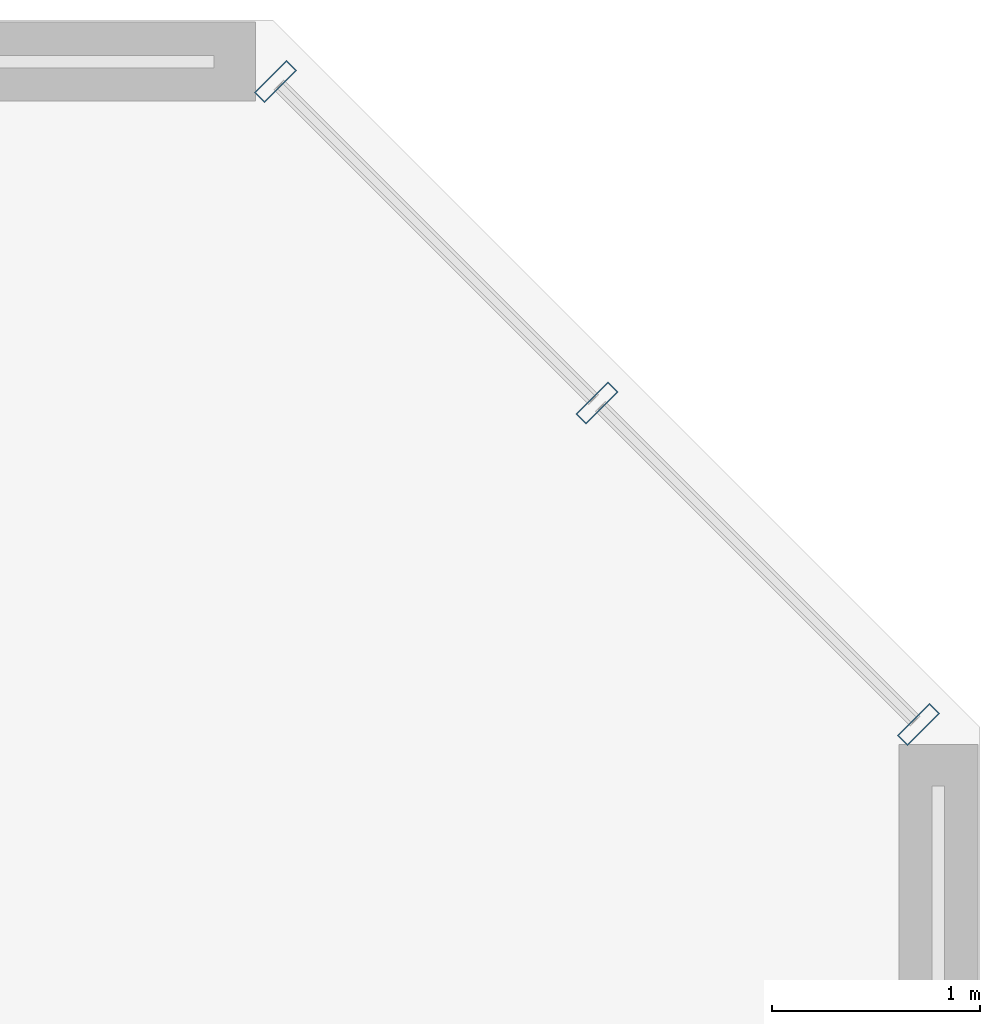
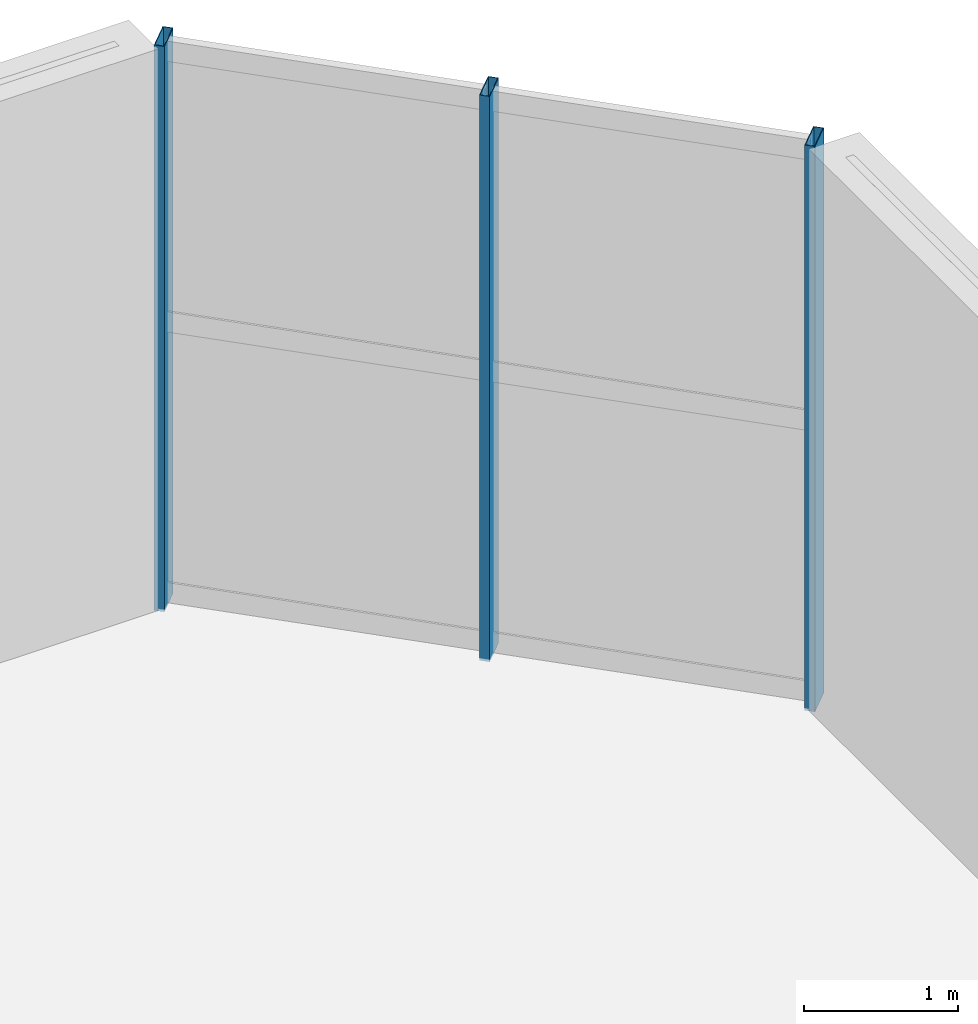
# One storey, part 8 of 22: 3 members, 1 element without a shape of its own.
"""IFC4 building model written with IfcOpenShell, lengths in metres."""

from ifc_helpers import new_model, si_unit, direction, frame, origin, origin_2d, place, context, subcontext, project, spatial, hollow_rectangle, extrude, source, transform, mapped, material, material_profile, profile_set, type_object, element, aggregate, save


model = new_model("IFC4")

# Units and contexts
model_context = context("Model", 3, precision=1e-05, world=origin(), true_north=direction((0.0, 1.0)))
body_context = subcontext(model_context, "Body", "Model", "MODEL_VIEW")
ifc_project = project(units=[si_unit("LENGTHUNIT", "METRE"), si_unit("AREAUNIT", "SQUARE_METRE"), si_unit("VOLUMEUNIT", "CUBIC_METRE"), si_unit("PLANEANGLEUNIT", "RADIAN"), si_unit("MASSUNIT", "GRAM", prefix="KILO")], contexts=[model_context])

# Site, building, storey
site_placement = place(None, origin())
site = spatial("IfcSite", under=ifc_project, at=site_placement, CompositionType="ELEMENT")
building_placement = place(site_placement, origin())
building = spatial("IfcBuilding", under=site, at=building_placement, Name="Tlacorven Tower", CompositionType="ELEMENT")
storey_placement = place(building_placement, frame((0.0, 0.0, 5.39990234375)))
storey = spatial("IfcBuildingStorey", under=building, at=storey_placement, Name="L01", CompositionType="ELEMENT", Elevation=5.39990234375)

# Curtain wall, members
ifc_material_1 = material(Name="Dark solar low-E double glazing in aluminium frame", Category="aluminium")
curtain_wall_type = type_object("IfcCurtainWallType", Name="CW-STN-CONCOURSE", PredefinedType="USERDEFINED", material=ifc_material_1)
curtain_wall_placement = place(storey_placement, origin())
curtain_wall = element("IfcCurtainWall", 1, at=curtain_wall_placement, inside=storey, type_object=curtain_wall_type, Name="L01 Podium Chamfer Curtain Wall 5", ObjectType="UNITISED CURTAIN WALL", PredefinedType="USERDEFINED")
ifc_material_2 = material(Name="Aluminium 6063-T6 anodised", Category="aluminium")
ifc_material_profile = material_profile(ifc_material_2, hollow_rectangle(XDim=0.070068359375, YDim=0.219970703125, WallThickness=0.0048828125, at=origin_2d()), Name="ALU MULLION 70X220")
ifc_profile_set = profile_set([ifc_material_profile], Name="Aluminium 6063-T6 anodised")
member_type = type_object("IfcMemberType", Name="CWM-01", PredefinedType="MULLION", material=ifc_profile_set)
shared_shape = source(origin(), body_context, "Body", "SweptSolid", [
    extrude(hollow_rectangle(XDim=0.070068359375, YDim=0.219970703125, WallThickness=0.0048828125, at=origin_2d()), origin(), (0.0, 0.0, 1.0), 4.480224609375),
])
member_1_placement = place(storey_placement, frame((67.212646484375, 46.304443359375, -0.02001953125), z_axis=(0.0, 0.0, 1.0), x_axis=(0.707106781187, -0.707106781187, 0.0)))
member_1 = element("IfcMember", 2, at=member_1_placement, type_object=member_type, Name="CW-L01-007 Mullion 1", PredefinedType="MULLION", context=body_context, shape_type="MappedRepresentation", body=[
    mapped(shared_shape, transform((0.0, 0.0, 0.0), scale=1.0)),
])
member_2_placement = place(storey_placement, frame((68.758544921875, 44.758544921875, -0.02001953125), z_axis=(0.0, 0.0, 1.0), x_axis=(0.707106781187, -0.707106781187, 0.0)))
member_2 = element("IfcMember", 3, at=member_2_placement, type_object=member_type, Name="CW-L01-007 Mullion 2", PredefinedType="MULLION", context=body_context, shape_type="MappedRepresentation", body=[
    mapped(shared_shape, transform((0.0, 0.0, 0.0), scale=1.0)),
])
member_3_placement = place(storey_placement, frame((70.304443359375, 43.212646484375, -0.02001953125), z_axis=(0.0, 0.0, 1.0), x_axis=(0.707106781187, -0.707106781187, 0.0)))
member_3 = element("IfcMember", 4, at=member_3_placement, type_object=member_type, Name="CW-L01-007 Mullion 3", PredefinedType="MULLION", context=body_context, shape_type="MappedRepresentation", body=[
    mapped(shared_shape, transform((0.0, 0.0, 0.0), scale=1.0)),
])
aggregate(curtain_wall, [member_1, member_2, member_3])

save(model, "model.ifc")
